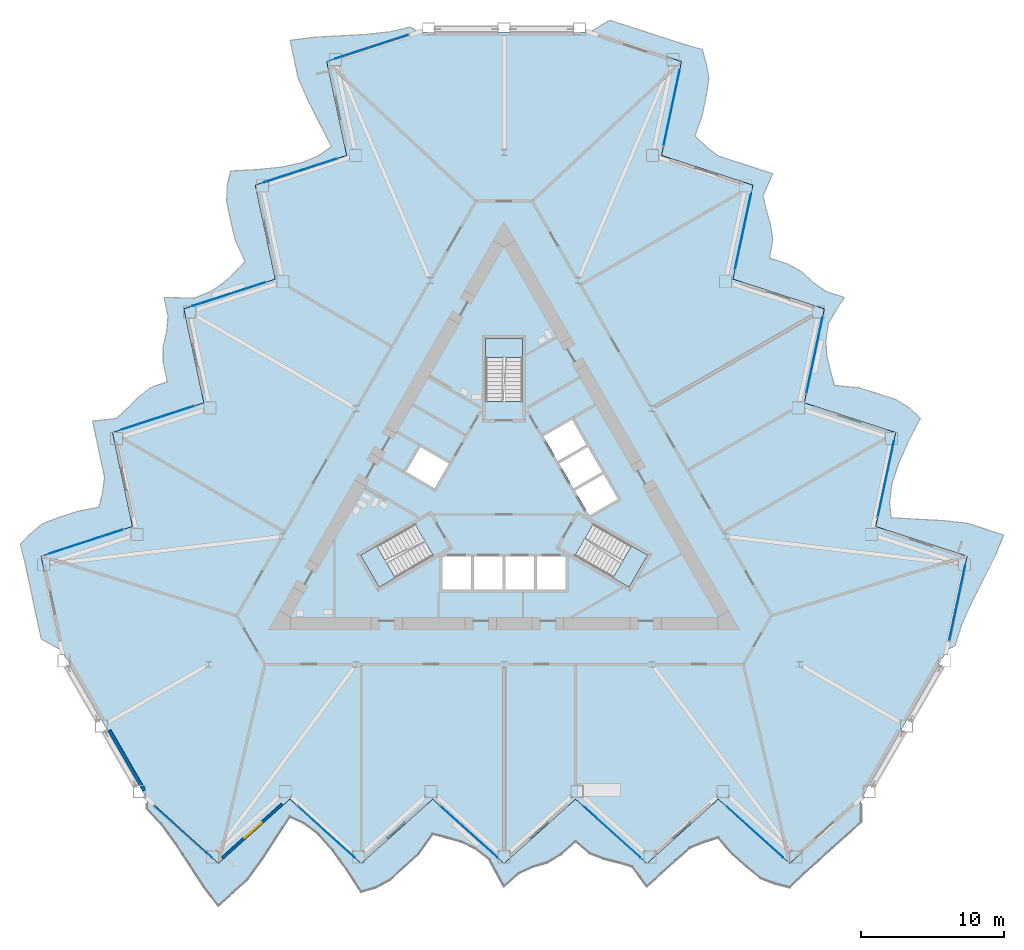
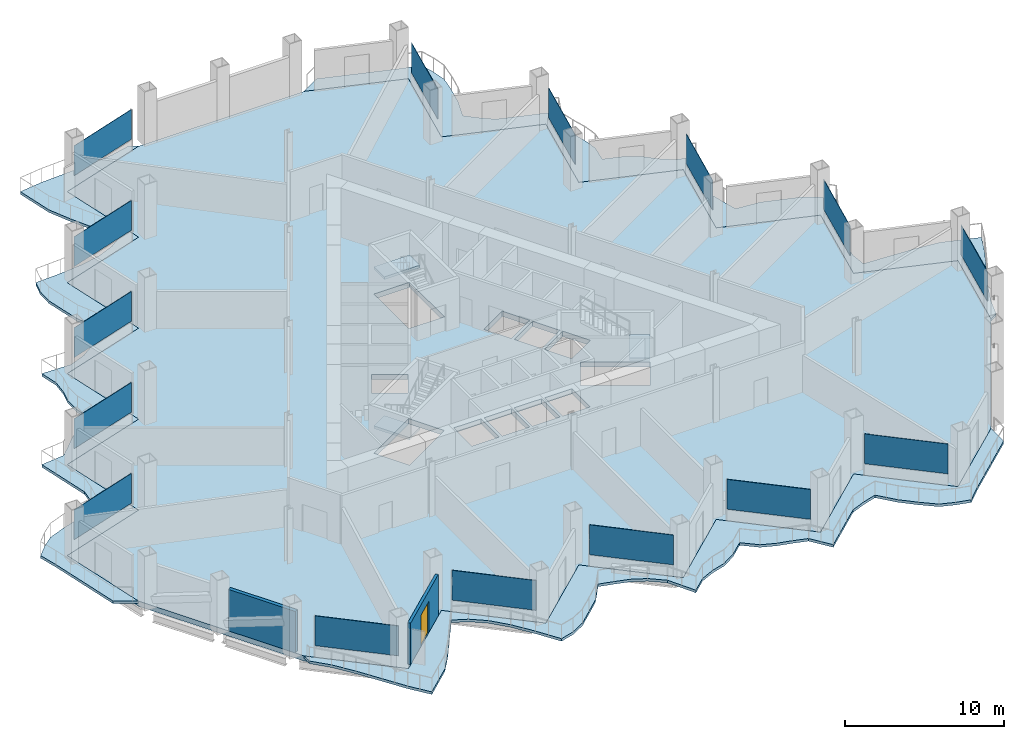
# One storey, part 9 of 21: 15 plates, 7 slabs, 2 walls, 1 door, 1 opening, 18 elements without a shape of their own.
"""IFC4 building model written with IfcOpenShell, lengths in metres."""

from ifc_helpers import new_model, si_unit, direction, frame, frame_2d, origin, origin_2d, place, context, subcontext, project, spatial, polyline, rectangle, outline, extrude, material, layer, layer_set, type_object, element, fill, aggregate, save


model = new_model("IFC4")

# Units and contexts
model_context = context("Model", 3, precision=1e-05, world=origin(), true_north=direction((0.0, 1.0)))
body_context = subcontext(model_context, "Body", "Model", "MODEL_VIEW")
ifc_project = project(units=[si_unit("LENGTHUNIT", "METRE"), si_unit("AREAUNIT", "SQUARE_METRE"), si_unit("VOLUMEUNIT", "CUBIC_METRE"), si_unit("PLANEANGLEUNIT", "RADIAN"), si_unit("MASSUNIT", "GRAM", prefix="KILO")], contexts=[model_context])

# Site, building, storey
site_placement = place(None, origin())
site = spatial("IfcSite", under=ifc_project, at=site_placement, CompositionType="ELEMENT")
building_placement = place(site_placement, origin())
building = spatial("IfcBuilding", under=site, at=building_placement, Name="Cormorant Prow Tower", CompositionType="ELEMENT")
storey_placement = place(building_placement, frame((0.0, 0.0, 103.800048828125)))
storey = spatial("IfcBuildingStorey", under=building, at=storey_placement, Name="L21", CompositionType="ELEMENT", Elevation=103.800048828125)

# Slabs
ifc_material_1 = material(Name="Concrete C40/50", Category="concrete")
ifc_layer_1 = layer(ifc_material_1, 0.199951171875)
ifc_layer_set_1 = layer_set([ifc_layer_1], Name="Concrete C40/50")
slab_type_1 = type_object("IfcSlabType", Name="Balcony slab 200", PredefinedType="FLOOR", material=ifc_layer_set_1)
slab_1_placement = place(storey_placement, frame((0.0, 0.0, -0.199951171875)))
element("IfcSlab", 1, at=slab_1_placement, inside=storey, type_object=slab_type_1, Name="Balcony slab S L21", PredefinedType="FLOOR", context=body_context, shape_type="SweptSolid", body=[
    extrude(outline(polyline([(-24.96337890625, -21.35498046875), (-24.96337890625, -22.0048828125), (-23.96484375, -23.073974609375), (-22.96630859375, -24.43701171875), (-21.9677734375, -25.967529296875), (-20.96923828125, -27.49365234375), (-19.970703125, -28.80029296875), (-18.97216796875, -27.9013671875), (-17.9736328125, -27.002197265625), (-16.97509765625, -25.642578125), (-15.9765625, -24.1083984375), (-14.97802734375, -22.586669921875), (-13.9794921875, -23.044677734375), (-12.98095703125, -23.8046875), (-11.982421875, -24.904052734375), (-10.98388671875, -26.288818359375), (-9.9853515625, -27.826416015625), (-8.98681640625, -27.545166015625), (-7.98828125, -27.002197265625), (-6.98974609375, -26.10302734375), (-5.9912109375, -25.185302734375), (-4.99267578125, -23.790283203125), (-3.994140625, -24.047607421875), (-2.99560546875, -24.334228515625), (-1.9970703125, -24.816162109375), (-0.99853515625, -25.607177734375), (0.0, -27.450439453125), (0.99853515625, -26.55126953125), (1.9970703125, -26.0888671875), (2.99560546875, -25.796875), (3.994140625, -25.2041015625), (4.99267578125, -24.304931640625), (5.9912109375, -25.149658203125), (6.98974609375, -25.53271484375), (7.98828125, -25.785400390625), (8.98681640625, -26.08349609375), (9.9853515625, -27.450439453125), (10.98388671875, -26.55126953125), (11.982421875, -25.652099609375), (12.98095703125, -24.753173828125), (13.9794921875, -24.350830078125), (14.97802734375, -24.046630859375), (15.9765625, -25.2041015625), (16.97509765625, -26.10302734375), (17.9736328125, -26.909912109375), (18.97216796875, -27.274169921875), (19.970703125, -27.5234375), (20.96923828125, -26.55126953125), (21.9677734375, -25.652099609375), (22.96630859375, -24.753173828125), (23.96484375, -23.85400390625), (24.96337890625, -22.954833984375), (24.96337890625, -21.35498046875), (23.96484375, -22.254150390625), (22.96630859375, -23.153076171875), (21.9677734375, -24.05224609375), (20.96923828125, -24.951171875), (19.970703125, -25.850341796875), (18.97216796875, -24.951171875), (17.9736328125, -24.05224609375), (16.97509765625, -23.153076171875), (15.9765625, -22.254150390625), (14.97802734375, -21.35498046875), (13.9794921875, -22.254150390625), (12.98095703125, -23.153076171875), (11.982421875, -24.05224609375), (10.98388671875, -24.951171875), (9.9853515625, -25.850341796875), (8.98681640625, -24.951171875), (7.98828125, -24.05224609375), (6.98974609375, -23.153076171875), (5.9912109375, -22.254150390625), (4.99267578125, -21.35498046875), (3.994140625, -22.254150390625), (2.99560546875, -23.153076171875), (1.9970703125, -24.05224609375), (0.99853515625, -24.951171875), (0.0, -25.850341796875), (-0.99853515625, -24.951171875), (-1.9970703125, -24.05224609375), (-2.99560546875, -23.153076171875), (-3.994140625, -22.254150390625), (-4.99267578125, -21.35498046875), (-5.9912109375, -22.254150390625), (-6.98974609375, -23.153076171875), (-7.98828125, -24.05224609375), (-8.98681640625, -24.951171875), (-9.9853515625, -25.850341796875), (-10.98388671875, -24.951171875), (-11.982421875, -24.05224609375), (-12.98095703125, -23.153076171875), (-13.9794921875, -22.254150390625), (-14.97802734375, -21.35498046875), (-15.9765625, -22.254150390625), (-16.97509765625, -23.153076171875), (-17.9736328125, -24.05224609375), (-18.97216796875, -24.951171875), (-19.970703125, -25.850341796875), (-20.96923828125, -24.951171875), (-21.9677734375, -24.05224609375), (-22.96630859375, -23.153076171875), (-23.96484375, -22.254150390625), (-24.96337890625, -21.35498046875)])), origin(), (0.0, 0.0, 1.0), 0.199951171875),
])
slab_2_placement = place(storey_placement, frame((0.0, 0.0, -0.199951171875)))
element("IfcSlab", 2, at=slab_2_placement, inside=storey, type_object=slab_type_1, Name="Balcony slab ENE L21", PredefinedType="FLOOR", context=body_context, shape_type="SweptSolid", body=[
    extrude(outline(polyline([(30.9755859375, -10.94140625), (31.53857421875, -10.616455078125), (31.965087890625, -9.217041015625), (32.646240234375, -7.6708984375), (33.472412109375, -6.041015625), (34.294921875, -4.4130859375), (34.92724609375, -2.89501953125), (33.6494140625, -2.479736328125), (32.371337890625, -2.064453125), (30.69482421875, -1.879638671875), (28.86669921875, -1.781982421875), (27.049560546875, -1.677978515625), (26.947021484375, -0.584228515625), (27.10595703125, 0.660400390625), (27.558837890625, 2.074951171875), (28.258544921875, 3.632080078125), (29.091064453125, 5.265625), (28.34814453125, 5.98974609375), (27.378662109375, 6.5830078125), (26.100830078125, 6.998291015625), (24.806640625, 7.404052734375), (23.09912109375, 7.5712890625), (22.822998046875, 8.564697265625), (22.57177734375, 9.57275390625), (22.489990234375, 10.678466796875), (22.67578125, 11.93896484375), (23.772705078125, 13.72509765625), (22.494873046875, 14.140380859375), (21.594970703125, 14.77392578125), (20.8427734375, 15.49267578125), (19.830322265625, 16.06103515625), (18.55224609375, 16.476318359375), (18.78466796875, 17.763427734375), (18.6171875, 18.819580078125), (18.336669921875, 19.810791015625), (18.095458984375, 20.824462890625), (18.780029296875, 22.372802734375), (17.502197265625, 22.7880859375), (16.22412109375, 23.203125), (14.9462890625, 23.618408203125), (14.098876953125, 24.281982421875), (13.3359375, 24.99462890625), (13.839111328125, 26.438232421875), (14.118408203125, 27.75244140625), (14.31787109375, 29.0205078125), (14.134033203125, 30.0673828125), (13.8505859375, 31.056884765625), (12.509521484375, 31.435546875), (11.2314453125, 31.850830078125), (9.95361328125, 32.265869140625), (8.67578125, 32.68115234375), (7.39794921875, 33.096435546875), (6.01220703125, 32.29638671875), (7.2900390625, 31.881103515625), (8.568115234375, 31.466064453125), (9.845947265625, 31.05078125), (11.123779296875, 30.635498046875), (12.401611328125, 30.22021484375), (12.122314453125, 28.906005859375), (11.843017578125, 27.591796875), (11.563720703125, 26.27734375), (11.2841796875, 24.963134765625), (11.0048828125, 23.64892578125), (12.28271484375, 23.233642578125), (13.560791015625, 22.818359375), (14.838623046875, 22.403076171875), (16.116455078125, 21.988037109375), (17.394287109375, 21.57275390625), (17.114990234375, 20.258544921875), (16.835693359375, 18.944091796875), (16.556396484375, 17.6298828125), (16.27685546875, 16.315673828125), (15.99755859375, 15.001220703125), (17.275390625, 14.5859375), (18.553466796875, 14.1708984375), (19.831298828125, 13.755615234375), (21.109130859375, 13.34033203125), (22.386962890625, 12.92529296875), (22.107666015625, 11.61083984375), (21.828369140625, 10.296630859375), (21.549072265625, 8.982177734375), (21.26953125, 7.66796875), (20.990234375, 6.353759765625), (22.26806640625, 5.9384765625), (23.546142578125, 5.523193359375), (24.823974609375, 5.108154296875), (26.101806640625, 4.69287109375), (27.379638671875, 4.277587890625), (27.100341796875, 2.96337890625), (26.821044921875, 1.64892578125), (26.541748046875, 0.334716796875), (26.26220703125, -0.9794921875), (25.98291015625, -2.2939453125), (27.2607421875, -2.708984375), (28.538818359375, -3.124267578125), (29.816650390625, -3.53955078125), (31.094482421875, -3.954833984375), (32.372314453125, -4.369873046875), (32.093017578125, -5.684326171875), (31.813720703125, -6.99853515625), (31.534423828125, -8.312744140625), (31.2548828125, -9.627197265625), (30.9755859375, -10.94140625)])), origin(), (0.0, 0.0, 1.0), 0.199951171875),
])
slab_3_placement = place(storey_placement, frame((0.0, 0.0, -0.199951171875)))
element("IfcSlab", 3, at=slab_3_placement, inside=storey, type_object=slab_type_1, Name="Balcony slab WNW L21", PredefinedType="FLOOR", context=body_context, shape_type="SweptSolid", body=[
    extrude(outline(polyline([(-6.01220703125, 32.29638671875), (-6.5751953125, 32.621337890625), (-8.000244140625, 32.291259765625), (-9.679931640625, 32.10791015625), (-11.504638671875, 32.00830078125), (-13.32568359375, 31.90673828125), (-14.95654296875, 31.6953125), (-14.67724609375, 30.381103515625), (-14.397705078125, 29.066650390625), (-13.7197265625, 27.522216796875), (-12.89013671875, 25.890380859375), (-12.071533203125, 24.2646484375), (-12.967529296875, 23.62890625), (-14.125, 23.14404296875), (-15.576416015625, 22.8291015625), (-17.274658203125, 22.65673828125), (-19.105712890625, 22.560791015625), (-19.361328125, 21.555419921875), (-19.390380859375, 20.419189453125), (-19.111083984375, 19.104736328125), (-18.8154296875, 17.78125), (-18.1064453125, 16.21875), (-18.828857421875, 15.48291015625), (-19.576171875, 14.76123046875), (-20.492919921875, 14.1376953125), (-21.67724609375, 13.66845703125), (-23.772705078125, 13.72509765625), (-23.493408203125, 12.410888671875), (-23.592041015625, 11.31494140625), (-23.83837890625, 10.30419921875), (-23.824462890625, 9.14306640625), (-23.544921875, 7.82861328125), (-24.77587890625, 7.38623046875), (-25.60693359375, 6.713134765625), (-26.324951171875, 5.974609375), (-27.082275390625, 5.2587890625), (-28.765380859375, 5.07763671875), (-28.486083984375, 3.763427734375), (-28.206787109375, 2.448974609375), (-27.92724609375, 1.134765625), (-28.078369140625, 0.06884765625), (-28.31396484375, -0.947998046875), (-29.815673828125, -1.234130859375), (-31.093505859375, -1.6494140625), (-32.29150390625, -2.110595703125), (-33.106201171875, -2.793212890625), (-33.8212890625, -3.533447265625), (-33.478759765625, -4.88427734375), (-33.199462890625, -6.198486328125), (-32.919921875, -7.512939453125), (-32.640625, -8.8271484375), (-32.361328125, -10.141357421875), (-30.9755859375, -10.94140625), (-31.2548828125, -9.627197265625), (-31.534423828125, -8.312744140625), (-31.813720703125, -6.99853515625), (-32.093017578125, -5.684326171875), (-32.372314453125, -4.369873046875), (-31.094482421875, -3.954833984375), (-29.816650390625, -3.53955078125), (-28.538818359375, -3.124267578125), (-27.2607421875, -2.708984375), (-25.98291015625, -2.2939453125), (-26.26220703125, -0.9794921875), (-26.541748046875, 0.334716796875), (-26.821044921875, 1.64892578125), (-27.100341796875, 2.96337890625), (-27.379638671875, 4.277587890625), (-26.101806640625, 4.69287109375), (-24.823974609375, 5.108154296875), (-23.546142578125, 5.523193359375), (-22.26806640625, 5.9384765625), (-20.990234375, 6.353759765625), (-21.26953125, 7.66796875), (-21.549072265625, 8.982177734375), (-21.828369140625, 10.296630859375), (-22.107666015625, 11.61083984375), (-22.386962890625, 12.92529296875), (-21.109130859375, 13.34033203125), (-19.831298828125, 13.755615234375), (-18.553466796875, 14.1708984375), (-17.275390625, 14.5859375), (-15.99755859375, 15.001220703125), (-16.27685546875, 16.315673828125), (-16.556396484375, 17.6298828125), (-16.835693359375, 18.944091796875), (-17.114990234375, 20.258544921875), (-17.394287109375, 21.57275390625), (-16.116455078125, 21.988037109375), (-14.838623046875, 22.403076171875), (-13.560791015625, 22.818359375), (-12.28271484375, 23.233642578125), (-11.0048828125, 23.64892578125), (-11.2841796875, 24.963134765625), (-11.563720703125, 26.27734375), (-11.843017578125, 27.591796875), (-12.122314453125, 28.906005859375), (-12.401611328125, 30.22021484375), (-11.123779296875, 30.635498046875), (-9.845947265625, 31.05078125), (-8.568115234375, 31.466064453125), (-7.2900390625, 31.881103515625), (-6.01220703125, 32.29638671875)])), origin(), (0.0, 0.0, 1.0), 0.199951171875),
])

# Curtain wall, plate
ifc_material_2 = material(Name="Aluminium 6063-T6", Category="aluminium")
ifc_layer_2 = layer(ifc_material_2, 0.199951171875)
ifc_layer_set_2 = layer_set([ifc_layer_2], Name="Aluminium 6063-T6")
curtain_wall_type = type_object("IfcCurtainWallType", Name="Office unitised curtain wall 200", PredefinedType="NOTDEFINED", material=ifc_layer_set_2)
curtain_wall_1_placement = place(storey_placement, origin())
curtain_wall_1 = element("IfcCurtainWall", 4, at=curtain_wall_1_placement, inside=storey, type_object=curtain_wall_type, Name="Office curtain wall S00", PredefinedType="NOTDEFINED")
ifc_material_3 = material(Name="Clear glass", Category="glass")
ifc_layer_3 = layer(ifc_material_3, 0.031982421875)
ifc_layer_set_3 = layer_set([ifc_layer_3], Name="Clear glass")
plate_type = type_object("IfcPlateType", Name="Office glass panel 32", PredefinedType="CURTAIN_PANEL", material=ifc_layer_set_3)
plate_1_placement = place(storey_placement, frame((-22.44482421875, -23.622802734375, 0.89990234375), z_axis=(0.0, 0.0, 1.0), x_axis=(0.743144785735, -0.669130650497, 0.0)))
plate_1 = element("IfcPlate", 5, at=plate_1_placement, type_object=plate_type, Name="Office glass panel S00", PredefinedType="CURTAIN_PANEL", context=body_context, shape_type="SweptSolid", body=[
    extrude(rectangle(XDim=5.38623046875, YDim=0.031982421875, at=origin_2d()), origin(), (0.0, 0.0, 1.0), 2.288818359375),
])
aggregate(curtain_wall_1, [plate_1])

curtain_wall_2_placement = place(storey_placement, origin())
curtain_wall_2 = element("IfcCurtainWall", 6, at=curtain_wall_2_placement, inside=storey, type_object=curtain_wall_type, Name="Office curtain wall S02", PredefinedType="NOTDEFINED")
plate_2_placement = place(storey_placement, frame((-12.45947265625, -23.622802734375, 0.89990234375), z_axis=(0.0, 0.0, 1.0), x_axis=(0.743144785735, -0.669130650497, 0.0)))
plate_2 = element("IfcPlate", 7, at=plate_2_placement, type_object=plate_type, Name="Office glass panel S02", PredefinedType="CURTAIN_PANEL", context=body_context, shape_type="SweptSolid", body=[
    extrude(rectangle(XDim=5.38623046875, YDim=0.031982421875, at=origin_2d()), origin(), (0.0, 0.0, 1.0), 2.288818359375),
])
aggregate(curtain_wall_2, [plate_2])

curtain_wall_3_placement = place(storey_placement, origin())
curtain_wall_3 = element("IfcCurtainWall", 8, at=curtain_wall_3_placement, inside=storey, type_object=curtain_wall_type, Name="Office curtain wall S04", PredefinedType="NOTDEFINED")
plate_3_placement = place(storey_placement, frame((-2.47412109375, -23.622802734375, 0.89990234375), z_axis=(0.0, 0.0, 1.0), x_axis=(0.743144785735, -0.669130650497, 0.0)))
plate_3 = element("IfcPlate", 9, at=plate_3_placement, type_object=plate_type, Name="Office glass panel S04", PredefinedType="CURTAIN_PANEL", context=body_context, shape_type="SweptSolid", body=[
    extrude(rectangle(XDim=5.38623046875, YDim=0.031982421875, at=origin_2d()), origin(), (0.0, 0.0, 1.0), 2.288818359375),
])
aggregate(curtain_wall_3, [plate_3])

curtain_wall_4_placement = place(storey_placement, origin())
curtain_wall_4 = element("IfcCurtainWall", 10, at=curtain_wall_4_placement, inside=storey, type_object=curtain_wall_type, Name="Office curtain wall S06", PredefinedType="NOTDEFINED")
plate_4_placement = place(storey_placement, frame((7.51123046875, -23.622802734375, 0.89990234375), z_axis=(0.0, 0.0, 1.0), x_axis=(0.743144785735, -0.669130650497, 0.0)))
plate_4 = element("IfcPlate", 11, at=plate_4_placement, type_object=plate_type, Name="Office glass panel S06", PredefinedType="CURTAIN_PANEL", context=body_context, shape_type="SweptSolid", body=[
    extrude(rectangle(XDim=5.38623046875, YDim=0.031982421875, at=origin_2d()), origin(), (0.0, 0.0, 1.0), 2.288818359375),
])
aggregate(curtain_wall_4, [plate_4])

curtain_wall_5_placement = place(storey_placement, origin())
curtain_wall_5 = element("IfcCurtainWall", 12, at=curtain_wall_5_placement, inside=storey, type_object=curtain_wall_type, Name="Office curtain wall S08", PredefinedType="NOTDEFINED")
plate_5_placement = place(storey_placement, frame((17.49658203125, -23.622802734375, 0.89990234375), z_axis=(0.0, 0.0, 1.0), x_axis=(0.743144785735, -0.669130650497, 0.0)))
plate_5 = element("IfcPlate", 13, at=plate_5_placement, type_object=plate_type, Name="Office glass panel S08", PredefinedType="CURTAIN_PANEL", context=body_context, shape_type="SweptSolid", body=[
    extrude(rectangle(XDim=5.38623046875, YDim=0.031982421875, at=origin_2d()), origin(), (0.0, 0.0, 1.0), 2.288818359375),
])
aggregate(curtain_wall_5, [plate_5])

curtain_wall_6_placement = place(storey_placement, origin())
curtain_wall_6 = element("IfcCurtainWall", 14, at=curtain_wall_6_placement, inside=storey, type_object=curtain_wall_type, Name="Office curtain wall ENE00", PredefinedType="NOTDEFINED")
plate_6_placement = place(storey_placement, frame((31.68017578125, -7.62646484375, 0.89990234375), z_axis=(0.0, 0.0, 1.0), x_axis=(0.207911769861, 0.978147583933, 0.0)))
plate_6 = element("IfcPlate", 15, at=plate_6_placement, type_object=plate_type, Name="Office glass panel ENE00", PredefinedType="CURTAIN_PANEL", context=body_context, shape_type="SweptSolid", body=[
    extrude(rectangle(XDim=5.38623046875, YDim=0.031982421875, at=origin_2d()), origin(), (0.0, 0.0, 1.0), 2.288818359375),
])
aggregate(curtain_wall_6, [plate_6])

curtain_wall_7_placement = place(storey_placement, origin())
curtain_wall_7 = element("IfcCurtainWall", 16, at=curtain_wall_7_placement, inside=storey, type_object=curtain_wall_type, Name="Office curtain wall ENE02", PredefinedType="NOTDEFINED")
plate_7_placement = place(storey_placement, frame((26.6875, 1.021240234375, 0.89990234375), z_axis=(0.0, 0.0, 1.0), x_axis=(0.207911769861, 0.978147583933, 0.0)))
plate_7 = element("IfcPlate", 17, at=plate_7_placement, type_object=plate_type, Name="Office glass panel ENE02", PredefinedType="CURTAIN_PANEL", context=body_context, shape_type="SweptSolid", body=[
    extrude(rectangle(XDim=5.38623046875, YDim=0.031982421875, at=origin_2d()), origin(), (0.0, 0.0, 1.0), 2.288818359375),
])
aggregate(curtain_wall_7, [plate_7])

curtain_wall_8_placement = place(storey_placement, origin())
curtain_wall_8 = element("IfcCurtainWall", 18, at=curtain_wall_8_placement, inside=storey, type_object=curtain_wall_type, Name="Office curtain wall ENE04", PredefinedType="NOTDEFINED")
plate_8_placement = place(storey_placement, frame((21.69482421875, 9.668701171875, 0.89990234375), z_axis=(0.0, 0.0, 1.0), x_axis=(0.207911769861, 0.978147583933, 0.0)))
plate_8 = element("IfcPlate", 19, at=plate_8_placement, type_object=plate_type, Name="Office glass panel ENE04", PredefinedType="CURTAIN_PANEL", context=body_context, shape_type="SweptSolid", body=[
    extrude(rectangle(XDim=5.38623046875, YDim=0.031982421875, at=origin_2d()), origin(), (0.0, 0.0, 1.0), 2.288818359375),
])
aggregate(curtain_wall_8, [plate_8])

curtain_wall_9_placement = place(storey_placement, origin())
curtain_wall_9 = element("IfcCurtainWall", 20, at=curtain_wall_9_placement, inside=storey, type_object=curtain_wall_type, Name="Office curtain wall ENE06", PredefinedType="NOTDEFINED")
plate_9_placement = place(storey_placement, frame((16.7021484375, 18.31640625, 0.89990234375), z_axis=(0.0, 0.0, 1.0), x_axis=(0.207911769861, 0.978147583933, 0.0)))
plate_9 = element("IfcPlate", 21, at=plate_9_placement, type_object=plate_type, Name="Office glass panel ENE06", PredefinedType="CURTAIN_PANEL", context=body_context, shape_type="SweptSolid", body=[
    extrude(rectangle(XDim=5.38623046875, YDim=0.031982421875, at=origin_2d()), origin(), (0.0, 0.0, 1.0), 2.288818359375),
])
aggregate(curtain_wall_9, [plate_9])

curtain_wall_10_placement = place(storey_placement, origin())
curtain_wall_10 = element("IfcCurtainWall", 22, at=curtain_wall_10_placement, inside=storey, type_object=curtain_wall_type, Name="Office curtain wall ENE08", PredefinedType="NOTDEFINED")
plate_10_placement = place(storey_placement, frame((11.70947265625, 26.9638671875, 0.89990234375), z_axis=(0.0, 0.0, 1.0), x_axis=(0.207911769861, 0.978147583933, 0.0)))
plate_10 = element("IfcPlate", 23, at=plate_10_placement, type_object=plate_type, Name="Office glass panel ENE08", PredefinedType="CURTAIN_PANEL", context=body_context, shape_type="SweptSolid", body=[
    extrude(rectangle(XDim=5.38623046875, YDim=0.031982421875, at=origin_2d()), origin(), (0.0, 0.0, 1.0), 2.288818359375),
])
aggregate(curtain_wall_10, [plate_10])

curtain_wall_11_placement = place(storey_placement, origin())
curtain_wall_11 = element("IfcCurtainWall", 24, at=curtain_wall_11_placement, inside=storey, type_object=curtain_wall_type, Name="Office curtain wall WNW00", PredefinedType="NOTDEFINED")
plate_11_placement = place(storey_placement, frame((-9.235595703125, 31.2490234375, 0.89990234375), z_axis=(0.0, 0.0, 1.0), x_axis=(-0.951056535959, -0.309016933855, 0.0)))
plate_11 = element("IfcPlate", 25, at=plate_11_placement, type_object=plate_type, Name="Office glass panel WNW00", PredefinedType="CURTAIN_PANEL", context=body_context, shape_type="SweptSolid", body=[
    extrude(rectangle(XDim=5.38623046875, YDim=0.031982421875, at=origin_2d()), origin(), (0.0, 0.0, 1.0), 2.288818359375),
])
aggregate(curtain_wall_11, [plate_11])

curtain_wall_12_placement = place(storey_placement, origin())
curtain_wall_12 = element("IfcCurtainWall", 26, at=curtain_wall_12_placement, inside=storey, type_object=curtain_wall_type, Name="Office curtain wall WNW02", PredefinedType="NOTDEFINED")
plate_12_placement = place(storey_placement, frame((-14.228271484375, 22.6015625, 0.89990234375), z_axis=(0.0, 0.0, 1.0), x_axis=(-0.951056535959, -0.309016933855, 0.0)))
plate_12 = element("IfcPlate", 27, at=plate_12_placement, type_object=plate_type, Name="Office glass panel WNW02", PredefinedType="CURTAIN_PANEL", context=body_context, shape_type="SweptSolid", body=[
    extrude(rectangle(XDim=5.38623046875, YDim=0.031982421875, at=origin_2d()), origin(), (0.0, 0.0, 1.0), 2.288818359375),
])
aggregate(curtain_wall_12, [plate_12])

curtain_wall_13_placement = place(storey_placement, origin())
curtain_wall_13 = element("IfcCurtainWall", 28, at=curtain_wall_13_placement, inside=storey, type_object=curtain_wall_type, Name="Office curtain wall WNW04", PredefinedType="NOTDEFINED")
plate_13_placement = place(storey_placement, frame((-19.220947265625, 13.953857421875, 0.89990234375), z_axis=(0.0, 0.0, 1.0), x_axis=(-0.951056535959, -0.309016933855, 0.0)))
plate_13 = element("IfcPlate", 29, at=plate_13_placement, type_object=plate_type, Name="Office glass panel WNW04", PredefinedType="CURTAIN_PANEL", context=body_context, shape_type="SweptSolid", body=[
    extrude(rectangle(XDim=5.38623046875, YDim=0.031982421875, at=origin_2d()), origin(), (0.0, 0.0, 1.0), 2.288818359375),
])
aggregate(curtain_wall_13, [plate_13])

curtain_wall_14_placement = place(storey_placement, origin())
curtain_wall_14 = element("IfcCurtainWall", 30, at=curtain_wall_14_placement, inside=storey, type_object=curtain_wall_type, Name="Office curtain wall WNW06", PredefinedType="NOTDEFINED")
plate_14_placement = place(storey_placement, frame((-24.213623046875, 5.306396484375, 0.89990234375), z_axis=(0.0, 0.0, 1.0), x_axis=(-0.951056535959, -0.309016933855, 0.0)))
plate_14 = element("IfcPlate", 31, at=plate_14_placement, type_object=plate_type, Name="Office glass panel WNW06", PredefinedType="CURTAIN_PANEL", context=body_context, shape_type="SweptSolid", body=[
    extrude(rectangle(XDim=5.38623046875, YDim=0.031982421875, at=origin_2d()), origin(), (0.0, 0.0, 1.0), 2.288818359375),
])
aggregate(curtain_wall_14, [plate_14])

curtain_wall_15_placement = place(storey_placement, origin())
curtain_wall_15 = element("IfcCurtainWall", 32, at=curtain_wall_15_placement, inside=storey, type_object=curtain_wall_type, Name="Office curtain wall WNW08", PredefinedType="NOTDEFINED")
plate_15_placement = place(storey_placement, frame((-29.206298828125, -3.34130859375, 0.89990234375), z_axis=(0.0, 0.0, 1.0), x_axis=(-0.951056535959, -0.309016933855, 0.0)))
plate_15 = element("IfcPlate", 33, at=plate_15_placement, type_object=plate_type, Name="Office glass panel WNW08", PredefinedType="CURTAIN_PANEL", context=body_context, shape_type="SweptSolid", body=[
    extrude(rectangle(XDim=5.38623046875, YDim=0.031982421875, at=origin_2d()), origin(), (0.0, 0.0, 1.0), 2.288818359375),
])
aggregate(curtain_wall_15, [plate_15])

# Slab
ifc_material_4 = material(Name="Concrete C40/50", Category="concrete")
ifc_layer_4 = layer(ifc_material_4, 0.39990234375)
ifc_layer_set_4 = layer_set([ifc_layer_4], Name="Concrete C40/50")
slab_type_2 = type_object("IfcSlabType", Name="Post-tensioned flat slab 400", PredefinedType="FLOOR", material=ifc_layer_set_4)
slab_4_placement = place(storey_placement, frame((0.0, 0.0, -0.400146484375)))
element("IfcSlab", 34, at=slab_4_placement, inside=storey, type_object=slab_type_2, Name="Floor slab L21", PredefinedType="FLOOR", context=body_context, shape_type="SweptSolid", body=[
    extrude(outline(polyline([(-12.401611328125, 30.22021484375), (-11.0048828125, 23.64892578125), (-17.394287109375, 21.57275390625), (-15.99755859375, 15.001220703125), (-22.386962890625, 12.92529296875), (-20.990234375, 6.353759765625), (-27.379638671875, 4.277587890625), (-25.98291015625, -2.2939453125), (-32.372314453125, -4.369873046875), (-30.9755859375, -10.94140625), (-27.969482421875, -16.148193359375), (-24.96337890625, -21.35498046875), (-19.970703125, -25.850341796875), (-14.97802734375, -21.35498046875), (-9.9853515625, -25.850341796875), (-4.99267578125, -21.35498046875), (0.0, -25.850341796875), (4.99267578125, -21.35498046875), (9.9853515625, -25.850341796875), (14.97802734375, -21.35498046875), (19.970703125, -25.850341796875), (24.96337890625, -21.35498046875), (27.969482421875, -16.148193359375), (30.9755859375, -10.94140625), (32.372314453125, -4.369873046875), (25.98291015625, -2.2939453125), (27.379638671875, 4.277587890625), (20.990234375, 6.353759765625), (22.386962890625, 12.92529296875), (15.99755859375, 15.001220703125), (17.394287109375, 21.57275390625), (11.0048828125, 23.64892578125), (12.401611328125, 30.22021484375), (6.01220703125, 32.29638671875), (0.0, 32.29638671875), (-6.01220703125, 32.29638671875), (-12.401611328125, 30.22021484375)]), holes=[polyline([(-4.300048828125, -6.699951171875), (-4.300048828125, -4.39990234375), (-2.300048828125, -4.39990234375), (-2.300048828125, -6.699951171875), (-4.300048828125, -6.699951171875)]), polyline([(-2.10009765625, -4.39990234375), (-0.10009765625, -4.39990234375), (-0.10009765625, -6.699951171875), (-2.10009765625, -6.699951171875), (-2.10009765625, -4.39990234375)]), polyline([(2.10009765625, -4.39990234375), (2.10009765625, -6.699951171875), (0.10009765625, -6.699951171875), (0.10009765625, -4.39990234375), (2.10009765625, -4.39990234375)]), polyline([(4.300048828125, -6.699951171875), (2.300048828125, -6.699951171875), (2.300048828125, -4.39990234375), (4.300048828125, -4.39990234375), (4.300048828125, -6.699951171875)]), polyline([(7.952392578125, -0.373779296875), (5.96044921875, -1.52392578125), (4.96044921875, 0.2080078125), (6.952392578125, 1.358154296875), (7.952392578125, -0.373779296875)]), polyline([(4.860595703125, 0.38134765625), (3.860595703125, 2.11328125), (5.852294921875, 3.263427734375), (6.852294921875, 1.53125), (4.860595703125, 0.38134765625)]), polyline([(2.760498046875, 4.018798828125), (4.75244140625, 5.168701171875), (5.75244140625, 3.4365234375), (3.760498046875, 2.28662109375), (2.760498046875, 4.018798828125)]), polyline([(-6.852294921875, 1.53125), (-5.852294921875, 3.263427734375), (-3.860595703125, 2.11328125), (-4.860595703125, 0.38134765625), (-6.852294921875, 1.53125)]), polyline([(-4.947509765625, -4.3505859375), (-8.738037109375, -6.5390625), (-10.031982421875, -4.2978515625), (-6.241455078125, -2.109375), (-4.947509765625, -4.3505859375)]), polyline([(10.031982421875, -4.2978515625), (8.738037109375, -6.5390625), (4.947509765625, -4.3505859375), (6.241455078125, -2.109375), (10.031982421875, -4.2978515625)]), polyline([(1.2939453125, 10.8369140625), (1.2939453125, 6.459716796875), (-1.2939453125, 6.459716796875), (-1.2939453125, 10.8369140625), (1.2939453125, 10.8369140625)])]), origin(), (0.0, 0.0, 1.0), 0.400146484375),
])

# Stair, slab
ifc_material_5 = material(Name="Exit stair 24 risers")
stair_type = type_object("IfcStairType", Name="Exit stair 24 risers", PredefinedType="HALF_TURN_STAIR", material=ifc_material_5)
stair_1_placement = place(storey_placement, origin())
stair_1 = element("IfcStair", 35, at=stair_1_placement, inside=storey, type_object=stair_type, Name="L21 Exit stair ST1", PredefinedType="HALF_TURN_STAIR")
ifc_material_6 = material(Name="Concrete 5000 psi", Category="concrete")
ifc_layer_5 = layer(ifc_material_6, 0.199951171875)
ifc_layer_set_5 = layer_set([ifc_layer_5], Name="Concrete 5000 psi")
slab_type_3 = type_object("IfcSlabType", Name="Stair landing 200", PredefinedType="LANDING", material=ifc_layer_set_5)
slab_5_placement = place(storey_placement, frame((0.0, 0.0, 1.89990234375)))
slab_5 = element("IfcSlab", 36, at=slab_5_placement, type_object=slab_type_3, Name="ST1 landing 1", PredefinedType="LANDING", context=body_context, shape_type="SweptSolid", body=[
    extrude(outline(polyline([(-8.90185546875, -3.645263671875), (-10.031982421875, -4.2978515625), (-8.738037109375, -6.5390625), (-7.60791015625, -5.886474609375), (-8.90185546875, -3.645263671875)])), origin(), (0.0, 0.0, 1.0), 0.199951171875),
])
aggregate(stair_1, [slab_5])

stair_2_placement = place(storey_placement, origin())
stair_2 = element("IfcStair", 37, at=stair_2_placement, inside=storey, type_object=stair_type, Name="L21 Exit stair ST2", PredefinedType="HALF_TURN_STAIR")
slab_6_placement = place(storey_placement, frame((0.0, 0.0, 1.89990234375)))
slab_6 = element("IfcSlab", 38, at=slab_6_placement, type_object=slab_type_3, Name="ST2 landing 1", PredefinedType="LANDING", context=body_context, shape_type="SweptSolid", body=[
    extrude(outline(polyline([(7.60791015625, -5.886474609375), (8.738037109375, -6.5390625), (10.031982421875, -4.2978515625), (8.90185546875, -3.645263671875), (7.60791015625, -5.886474609375)])), origin(), (0.0, 0.0, 1.0), 0.199951171875),
])
aggregate(stair_2, [slab_6])

stair_3_placement = place(storey_placement, origin())
stair_3 = element("IfcStair", 39, at=stair_3_placement, inside=storey, type_object=stair_type, Name="L21 Exit stair ST3", PredefinedType="HALF_TURN_STAIR")
slab_7_placement = place(storey_placement, frame((0.0, 0.0, 1.89990234375)))
slab_7 = element("IfcSlab", 40, at=slab_7_placement, type_object=slab_type_3, Name="ST3 landing 1", PredefinedType="LANDING", context=body_context, shape_type="SweptSolid", body=[
    extrude(outline(polyline([(1.2939453125, 9.53173828125), (1.2939453125, 10.8369140625), (-1.2939453125, 10.8369140625), (-1.2939453125, 9.53173828125), (1.2939453125, 9.53173828125)])), origin(), (0.0, 0.0, 1.0), 0.199951171875),
])
aggregate(stair_3, [slab_7])

# Wall
ifc_material_7 = material(Name="Terracotta", Category="masonry")
ifc_layer_6 = layer(ifc_material_7, 0.25)
ifc_layer_set_6 = layer_set([ifc_layer_6], Name="Terracotta")
wall_type_1 = type_object("IfcWallType", Name="Terracotta bay wall 250", PredefinedType="SOLIDWALL", material=ifc_layer_set_6)
wall_1_placement = place(storey_placement, frame((-27.597900390625, -16.541748046875, 0.0), z_axis=(0.0, 0.0, 1.0), x_axis=(0.499994084299, -0.866028819189, 0.0)))
element("IfcWall", 41, at=wall_1_placement, inside=storey, type_object=wall_type_1, Name="Terracotta bay wall WSW01", PredefinedType="SOLIDWALL", context=body_context, shape_type="SweptSolid", body=[
    extrude(rectangle(XDim=4.849609375, YDim=0.25, at=frame_2d((2.4248046875, 0.0))), origin(), (0.0, 0.0, 1.0), 3.18896484375),
])

# Wall, opening, door
ifc_material_8 = material(Name="Terracotta", Category="masonry")
ifc_layer_7 = layer(ifc_material_8, 0.199951171875)
ifc_layer_set_7 = layer_set([ifc_layer_7], Name="Terracotta")
wall_type_2 = type_object("IfcWallType", Name="Terracotta jamb wall 200", PredefinedType="SOLIDWALL", material=ifc_layer_set_7)
wall_2_placement = place(storey_placement, frame((-19.701904296875, -25.473876953125, 0.0), z_axis=(0.0, 0.0, 1.0), x_axis=(0.743145362679, 0.669130009736, 0.0)))
wall_2 = element("IfcWall", 42, at=wall_2_placement, inside=storey, type_object=wall_type_2, Name="Terracotta jamb wall S01", PredefinedType="SOLIDWALL", context=body_context, shape_type="SweptSolid", body=[
    extrude(rectangle(XDim=5.630615234375, YDim=0.199951171875, at=frame_2d((2.8154296875, 0.0))), origin(), (0.0, 0.0, 1.0), 3.18896484375),
])
opening_placement = place(wall_2_placement, frame((2.107421875, 0.0, 0.0)))
opening = element("IfcOpeningElement", 43, at=opening_placement, cuts=wall_2, Name="Opening ED21.01", PredefinedType="OPENING", context=body_context, shape_type="SweptSolid", body=[
    extrude(rectangle(XDim=1.60009765625, YDim=2.39990234375, at=frame_2d((0.800048828125, 1.199951171875))), frame((0.0, 0.10986328125, 0.0), z_axis=(0.0, -1.0, 0.0), x_axis=(1.0, 0.0, 0.0)), (0.0, 0.0, 1.0), 0.219970703125),
])
ifc_material_9 = material(Name="Aluminium 6063-T6", Category="aluminium")
door_type = type_object("IfcDoorType", Name="Balcony door 1600x2400", OperationType="DOUBLE_DOOR_SINGLE_SWING", PredefinedType="DOOR", material=ifc_material_9)
door_placement = place(opening_placement, origin())
door = element("IfcDoor", 44, at=door_placement, inside=storey, type_object=door_type, Name="Balcony door S01 ED21.01", OperationType="DOUBLE_DOOR_SINGLE_SWING", OverallHeight=2.39990234375, OverallWidth=1.60009765625, PredefinedType="DOOR", context=body_context, shape_type="SweptSolid", body=[
    extrude(rectangle(XDim=1.60009765625, YDim=2.39990234375, at=frame_2d((0.800048828125, 1.199951171875))), frame((0.0, 0.02490234375, 0.0), z_axis=(0.0, -1.0, 0.0), x_axis=(1.0, 0.0, 0.0)), (0.0, 0.0, 1.0), 0.050048828125),
])
fill(opening, door)

save(model, "model.ifc")
